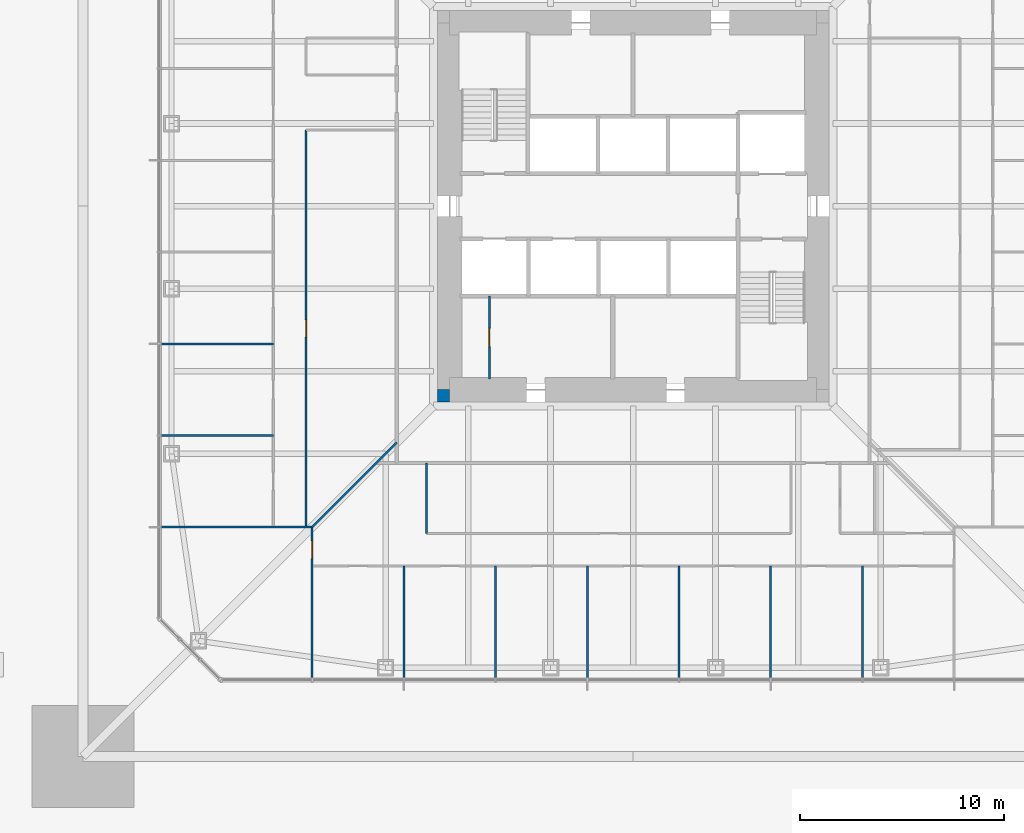
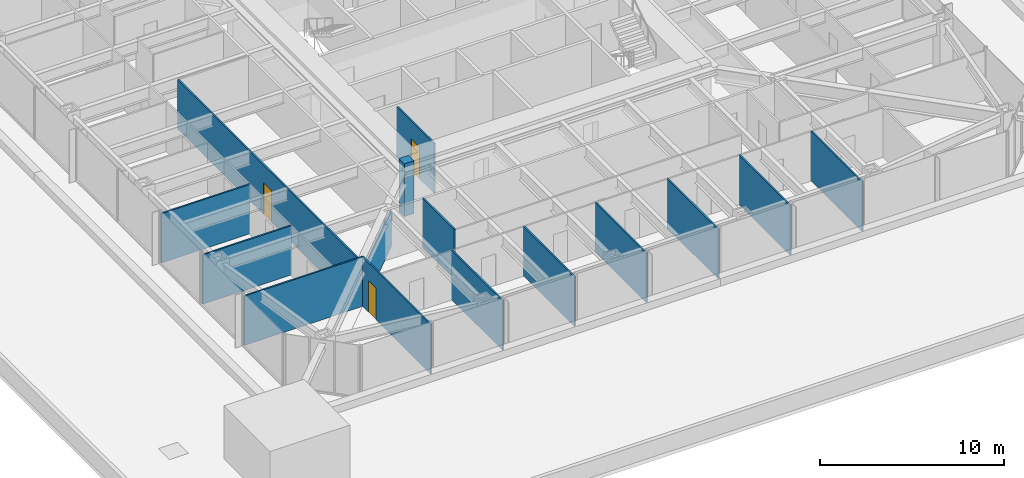
# One storey, part 16 of 31: 15 walls, 3 doors, 3 openings.
"""IFC4 building model written with IfcOpenShell, lengths in metres."""

from ifc_helpers import new_model, si_unit, direction, frame, frame_2d, origin, place, context, subcontext, project, spatial, rectangle, extrude, material, layer, layer_set, type_object, element, fill, save


model = new_model("IFC4")

# Units and contexts
model_context = context("Model", 3, precision=1e-05, world=origin(), true_north=direction((0.0, 1.0)))
body_context = subcontext(model_context, "Body", "Model", "MODEL_VIEW")
ifc_project = project(units=[si_unit("LENGTHUNIT", "METRE"), si_unit("AREAUNIT", "SQUARE_METRE"), si_unit("VOLUMEUNIT", "CUBIC_METRE"), si_unit("PLANEANGLEUNIT", "RADIAN"), si_unit("MASSUNIT", "GRAM", prefix="KILO")], contexts=[model_context])

# Site, building, storey
site_placement = place(None, origin())
site = spatial("IfcSite", under=ifc_project, at=site_placement, CompositionType="ELEMENT")
building_placement = place(site_placement, origin())
building = spatial("IfcBuilding", under=site, at=building_placement, Name="Iwan Alto Co-Living Towers", CompositionType="ELEMENT")
storey_placement = place(building_placement, frame((0.0, 0.0, 15.0)))
storey = spatial("IfcBuildingStorey", under=building, at=storey_placement, Name="L03", CompositionType="ELEMENT", Elevation=15.0)

# Walls
ifc_material_1 = material(Name="Gypsum board")
ifc_layer_1 = layer(ifc_material_1, 0.012451171875, Name="Board", Category="Finish")
ifc_material_2 = material(Name="Steel ASTM A1003 ST33H cold-formed studs", Category="steel")
ifc_layer_2 = layer(ifc_material_2, 0.074951171875, Name="Studs", Category="Framing")
ifc_layer_3 = layer(ifc_material_1, 0.012451171875, Name="Board", Category="Finish")
ifc_layer_set_1 = layer_set([ifc_layer_1, ifc_layer_2, ifc_layer_3], Name="PARTITION 100")
wall_type_1 = type_object("IfcWallType", Name="PARTITION 100", PredefinedType="PARTITIONING", material=ifc_layer_set_1)
wall_1_placement = place(storey_placement, frame((-23.18994140625, -15.75, 0.0), z_axis=(0.0, 0.0, 1.0), x_axis=(1.0, 0.0, 0.0)))
element("IfcWall", 1, at=wall_1_placement, inside=storey, type_object=wall_type_1, Name="Partition L03", PredefinedType="PARTITIONING", context=body_context, shape_type="SweptSolid", body=[
    extrude(rectangle(XDim=7.43994140625, YDim=0.10009765625, at=frame_2d((3.719970703125, 0.0))), origin(), (0.0, 0.0, 1.0), 3.27001953125),
])
for number, where, z_axis, x_axis, name in (
    (2, (-23.18994140625, -11.25, 0.0), (0.0, 0.0, 1.0), (1.0, 0.0, 0.0), "Partition L03"),
    (3, (-23.18994140625, -6.75, 0.0), (0.0, 0.0, 1.0), (1.0, 0.0, 0.0), "Partition L03"),
):
    element("IfcWall", number, at=place(storey_placement, frame(where, z_axis=z_axis, x_axis=x_axis)), inside=storey, type_object=wall_type_1, Name=name, PredefinedType="PARTITIONING", context=body_context, shape_type="SweptSolid", body=[
        extrude(rectangle(XDim=5.5400390625, YDim=0.10009765625, at=frame_2d((2.77001953125, 0.0))), origin(), (0.0, 0.0, 1.0), 3.27001953125),
    ])
wall_2_placement = place(storey_placement, frame((-15.75, -15.75, 0.0), z_axis=(0.0, 0.0, 1.0), x_axis=(0.707106781187, 0.707106781187, 0.0)))
element("IfcWall", 4, at=wall_2_placement, inside=storey, type_object=wall_type_1, Name="Partition L03", PredefinedType="PARTITIONING", context=body_context, shape_type="SweptSolid", body=[
    extrude(rectangle(XDim=5.868896484375, YDim=0.10009765625, at=frame_2d((2.9345703125, 0.0))), origin(), (0.0, 0.0, 1.0), 2.343017578125),
])
for number, where, z_axis, x_axis, name in (
    (5, (11.25, -23.18994140625, 0.0), (0.0, 0.0, 1.0), (0.0, 1.0, 0.0), "Partition L03"),
    (6, (6.75, -23.18994140625, 0.0), (0.0, 0.0, 1.0), (0.0, 1.0, 0.0), "Partition L03"),
    (7, (2.25, -23.18994140625, 0.0), (0.0, 0.0, 1.0), (0.0, 1.0, 0.0), "Partition L03"),
    (8, (-2.25, -23.18994140625, 0.0), (0.0, 0.0, 1.0), (0.0, 1.0, 0.0), "Partition L03"),
    (9, (-6.75, -23.18994140625, 0.0), (0.0, 0.0, 1.0), (0.0, 1.0, 0.0), "Partition L03"),
):
    element("IfcWall", number, at=place(storey_placement, frame(where, z_axis=z_axis, x_axis=x_axis)), inside=storey, type_object=wall_type_1, Name=name, PredefinedType="PARTITIONING", context=body_context, shape_type="SweptSolid", body=[
        extrude(rectangle(XDim=5.5400390625, YDim=0.10009765625, at=frame_2d((2.77001953125, 0.0))), origin(), (0.0, 0.0, 1.0), 3.27001953125),
    ])

# Wall, opening, door
wall_3_placement = place(storey_placement, frame((-7.050048828125, -8.489990234375, 0.0), z_axis=(0.0, 0.0, 1.0), x_axis=(0.0, 1.0, 0.0)))
wall_3 = element("IfcWall", 10, at=wall_3_placement, inside=storey, type_object=wall_type_1, Name="Partition L03", PredefinedType="PARTITIONING", context=body_context, shape_type="SweptSolid", body=[
    extrude(rectangle(XDim=4.090087890625, YDim=0.10009765625, at=frame_2d((2.044921875, 0.0))), origin(), (0.0, 0.0, 1.0), 3.300048828125),
])
opening_1_placement = place(wall_3_placement, frame((1.594970703125, 0.0, 0.0)))
opening_1 = element("IfcOpeningElement", 11, at=opening_1_placement, cuts=wall_3, Name="Opening D16", PredefinedType="OPENING", context=body_context, shape_type="SweptSolid", body=[
    extrude(rectangle(XDim=0.89990234375, YDim=2.10009765625, at=frame_2d((0.449951171875, 1.050048828125))), frame((0.0, 0.06005859375, 0.0), z_axis=(0.0, -1.0, 0.0), x_axis=(1.0, 0.0, 0.0)), (0.0, 0.0, 1.0), 0.1201171875),
])
ifc_material_3 = material(Name="Timber leaf in steel frame", Category="steel")
door_type_1 = type_object("IfcDoorType", Name="CUPBOARD SLIDING DOOR 900X2100", OperationType="SLIDING_TO_LEFT", PredefinedType="DOOR", material=ifc_material_3)
door_1_placement = place(opening_1_placement, origin())
door_1 = element("IfcDoor", 12, at=door_1_placement, inside=storey, type_object=door_type_1, Name="Bulky waste store door L03", OperationType="SLIDING_TO_LEFT", OverallHeight=2.10009765625, OverallWidth=0.89990234375, PredefinedType="DOOR", context=body_context, shape_type="SweptSolid", body=[
    extrude(rectangle(XDim=0.89990234375, YDim=2.10009765625, at=frame_2d((0.449951171875, 1.050048828125))), frame((0.0, 0.02490234375, 0.0), z_axis=(0.0, -1.0, 0.0), x_axis=(1.0, 0.0, 0.0)), (0.0, 0.0, 1.0), 0.050048828125),
])
fill(opening_1, door_1)

# Walls
wall_4_placement = place(storey_placement, frame((-10.14990234375, -16.050048828125, 0.0), z_axis=(0.0, 0.0, 1.0), x_axis=(0.0, 1.0, 0.0)))
element("IfcWall", 13, at=wall_4_placement, inside=storey, type_object=wall_type_1, Name="Partition L03", PredefinedType="PARTITIONING", context=body_context, shape_type="SweptSolid", body=[
    extrude(rectangle(XDim=3.449951171875, YDim=0.10009765625, at=frame_2d((1.72509765625, 0.0))), origin(), (0.0, 0.0, 1.0), 3.27001953125),
])
wall_5_placement = place(storey_placement, frame((-11.25, -23.18994140625, 0.0), z_axis=(0.0, 0.0, 1.0), x_axis=(0.0, 1.0, 0.0)))
element("IfcWall", 14, at=wall_5_placement, inside=storey, type_object=wall_type_1, Name="Partition L03", PredefinedType="PARTITIONING", context=body_context, shape_type="SweptSolid", body=[
    extrude(rectangle(XDim=5.5400390625, YDim=0.10009765625, at=frame_2d((2.77001953125, 0.0))), origin(), (0.0, 0.0, 1.0), 3.27001953125),
])

# Wall, opening, door
wall_6_placement = place(storey_placement, frame((-15.75, -23.18994140625, 0.0), z_axis=(0.0, 0.0, 1.0), x_axis=(0.0, 1.0, 0.0)))
wall_6 = element("IfcWall", 15, at=wall_6_placement, inside=storey, type_object=wall_type_1, Name="Partition L03", PredefinedType="PARTITIONING", context=body_context, shape_type="SweptSolid", body=[
    extrude(rectangle(XDim=7.43994140625, YDim=0.10009765625, at=frame_2d((3.719970703125, 0.0))), origin(), (0.0, 0.0, 1.0), 3.27001953125),
])
opening_2_placement = place(wall_6_placement, frame((5.9150390625, 0.0, 0.0)))
opening_2 = element("IfcOpeningElement", 16, at=opening_2_placement, cuts=wall_6, Name="Opening D2", PredefinedType="OPENING", context=body_context, shape_type="SweptSolid", body=[
    extrude(rectangle(XDim=0.85009765625, YDim=2.10009765625, at=frame_2d((0.425048828125, 1.050048828125))), frame((0.0, 0.06005859375, 0.0), z_axis=(0.0, -1.0, 0.0), x_axis=(1.0, 0.0, 0.0)), (0.0, 0.0, 1.0), 0.1201171875),
])
ifc_material_4 = material(Name="Timber leaf in steel frame", Category="steel")
door_type_2 = type_object("IfcDoorType", Name="ROOM DOOR 850X2100", OperationType="SINGLE_SWING_LEFT", PredefinedType="DOOR", material=ifc_material_4)
door_2_placement = place(opening_2_placement, frame((0.85009765625, 0.0, 0.0), z_axis=(0.0, 0.0, 1.0), x_axis=(-1.0, 0.0, 0.0)))
door_2 = element("IfcDoor", 17, at=door_2_placement, inside=storey, type_object=door_type_2, Name="Shared kitchen and dining room door L03", OperationType="SINGLE_SWING_RIGHT", OverallHeight=2.10009765625, OverallWidth=0.85009765625, PredefinedType="DOOR", context=body_context, shape_type="SweptSolid", body=[
    extrude(rectangle(XDim=0.85009765625, YDim=2.10009765625, at=frame_2d((0.425048828125, 1.050048828125))), frame((0.0, 0.02490234375, 0.0), z_axis=(0.0, -1.0, 0.0), x_axis=(1.0, 0.0, 0.0)), (0.0, 0.0, 1.0), 0.050048828125),
])
fill(opening_2, door_2)

wall_7_placement = place(storey_placement, frame((-16.050048828125, -15.75, 0.0), z_axis=(0.0, 0.0, 1.0), x_axis=(0.0, 1.0, 0.0)))
wall_7 = element("IfcWall", 18, at=wall_7_placement, inside=storey, type_object=wall_type_1, Name="Partition L03", PredefinedType="PARTITIONING", context=body_context, shape_type="SweptSolid", body=[
    extrude(rectangle(XDim=19.5, YDim=0.10009765625, at=frame_2d((9.75, 0.0))), origin(), (0.0, 0.0, 1.0), 3.27001953125),
])
opening_3_placement = place(wall_7_placement, frame((9.324951171875, 0.0, 0.0)))
opening_3 = element("IfcOpeningElement", 19, at=opening_3_placement, cuts=wall_7, Name="Opening D2", PredefinedType="OPENING", context=body_context, shape_type="SweptSolid", body=[
    extrude(rectangle(XDim=0.85009765625, YDim=2.10009765625, at=frame_2d((0.425048828125, 1.050048828125))), frame((0.0, 0.06005859375, 0.0), z_axis=(0.0, -1.0, 0.0), x_axis=(1.0, 0.0, 0.0)), (0.0, 0.0, 1.0), 0.1201171875),
])
door_3_placement = place(opening_3_placement, frame((0.85009765625, 0.0, 0.0), z_axis=(0.0, 0.0, 1.0), x_axis=(-1.0, 0.0, 0.0)))
door_3 = element("IfcDoor", 20, at=door_3_placement, inside=storey, type_object=door_type_2, Name="Study lounge door L03", OperationType="SINGLE_SWING_RIGHT", OverallHeight=2.10009765625, OverallWidth=0.85009765625, PredefinedType="DOOR", context=body_context, shape_type="SweptSolid", body=[
    extrude(rectangle(XDim=0.85009765625, YDim=2.10009765625, at=frame_2d((0.425048828125, 1.050048828125))), frame((0.0, 0.02490234375, 0.0), z_axis=(0.0, -1.0, 0.0), x_axis=(1.0, 0.0, 0.0)), (0.0, 0.0, 1.0), 0.050048828125),
])
fill(opening_3, door_3)

# Wall
ifc_material_5 = material(Name="Concrete f'c 70 MPa", Category="concrete")
ifc_layer_4 = layer(ifc_material_5, 0.60009765625)
ifc_layer_set_2 = layer_set([ifc_layer_4], Name="T1 CORE CORNER FILL 600")
wall_type_2 = type_object("IfcWallType", Name="T1 CORE CORNER FILL 600", PredefinedType="SOLIDWALL", material=ifc_layer_set_2)
wall_8_placement = place(storey_placement, frame((-9.60009765625, -9.300048828125, 0.0), z_axis=(0.0, 0.0, 1.0), x_axis=(1.0, 0.0, 0.0)))
element("IfcWall", 21, at=wall_8_placement, inside=storey, type_object=wall_type_2, Name="T1 core corner SW L03", PredefinedType="SOLIDWALL", context=body_context, shape_type="SweptSolid", body=[
    extrude(rectangle(XDim=0.60009765625, YDim=0.60009765625, at=frame_2d((0.300048828125, 0.0))), origin(), (0.0, 0.0, 1.0), 3.5),
])

save(model, "model.ifc")
